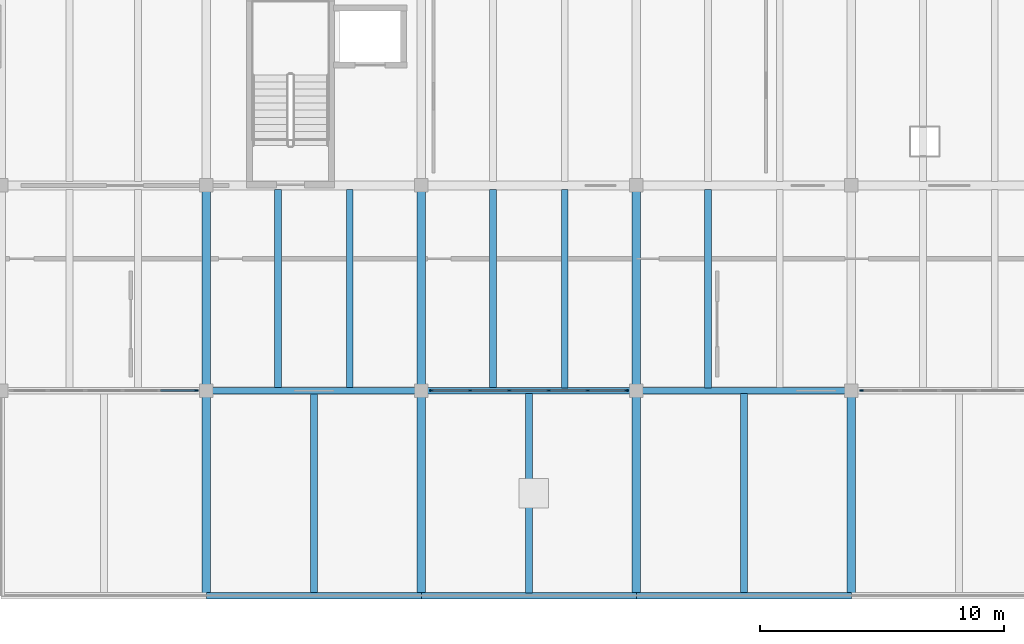
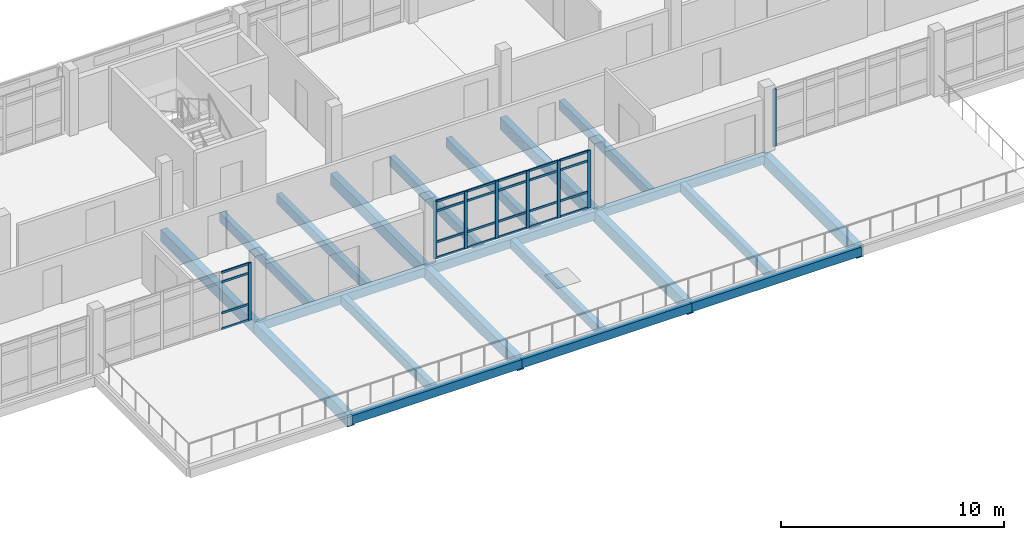
# One storey, part 8 of 30: 32 members, 21 beams, 3 elements without a shape of their own.
"""IFC4 building model written with IfcOpenShell, lengths in metres."""

from ifc_helpers import new_model, si_unit, direction, frame, origin, origin_2d, place, context, subcontext, project, spatial, rectangle, extrude, material, material_profile, profile_set, type_object, element, aggregate, save


model = new_model("IFC4")

# Units and contexts
model_context = context("Model", 3, precision=1e-05, world=origin(), true_north=direction((0.0, 1.0)))
body_context = subcontext(model_context, "Body", "Model", "MODEL_VIEW")
ifc_project = project(units=[si_unit("LENGTHUNIT", "METRE"), si_unit("AREAUNIT", "SQUARE_METRE"), si_unit("VOLUMEUNIT", "CUBIC_METRE"), si_unit("PLANEANGLEUNIT", "RADIAN"), si_unit("MASSUNIT", "GRAM", prefix="KILO")], contexts=[model_context])

# Site, building, storey
site_placement = place(None, origin())
site = spatial("IfcSite", under=ifc_project, at=site_placement, CompositionType="ELEMENT")
building_placement = place(site_placement, origin())
building = spatial("IfcBuilding", under=site, at=building_placement, Name="Cinderway Yard Community Centre", CompositionType="ELEMENT")
storey_placement = place(building_placement, frame((0.0, 0.0, 16.5)))
storey = spatial("IfcBuildingStorey", under=building, at=storey_placement, Name="L04", CompositionType="ELEMENT", Elevation=16.5)

# Curtain wall, member
ifc_material_1 = material(Name="Aluminium 6063-T6", Category="aluminium")
curtain_wall_type_1 = type_object("IfcCurtainWallType", Name="ENV-CW-TYPE-32", PredefinedType="USERDEFINED", material=ifc_material_1)
curtain_wall_1_placement = place(storey_placement, origin())
curtain_wall_1 = element("IfcCurtainWall", 1, at=curtain_wall_1_placement, inside=storey, type_object=curtain_wall_type_1, Name="V4 Courtyard Curtain Wall ENV-CW-L04-ST-0180", ObjectType="GLAZED CURTAIN WALL", PredefinedType="USERDEFINED")
ifc_material_profile_1 = material_profile(ifc_material_1, rectangle(XDim=0.06005859375, YDim=0.159912109375, at=origin_2d()), Name="Aluminium 6063-T6")
ifc_profile_set_1 = profile_set([ifc_material_profile_1], Name="Aluminium 6063-T6")
member_type_1 = type_object("IfcMemberType", Name="ENV-CW-MULL-150", PredefinedType="MULLION", material=ifc_profile_set_1)
member_1_placement = place(storey_placement, frame((74.7900390625, 98.39990234375, 0.0), z_axis=(0.0, 0.0, 1.0), x_axis=(0.0, 1.0, 0.0)))
member_1 = element("IfcMember", 2, at=member_1_placement, type_object=member_type_1, Name="CW-32 mullion 6", PredefinedType="MULLION", context=body_context, shape_type="SweptSolid", body=[
    extrude(rectangle(XDim=0.06005859375, YDim=0.159912109375, at=origin_2d()), origin(), (0.0, 0.0, 1.0), 3.14990234375),
])

# Curtain wall, members
curtain_wall_type_2 = type_object("IfcCurtainWallType", Name="ENV-CW-TYPE-33", PredefinedType="USERDEFINED", material=ifc_material_1)
curtain_wall_2_placement = place(storey_placement, origin())
curtain_wall_2 = element("IfcCurtainWall", 3, at=curtain_wall_2_placement, inside=storey, type_object=curtain_wall_type_2, Name="V4 Courtyard Curtain Wall ENV-CW-L04-ST-0182", ObjectType="GLAZED CURTAIN WALL", PredefinedType="USERDEFINED")
member_2_placement = place(storey_placement, frame((84.409912109375, 98.39990234375, 0.0), z_axis=(0.0, 0.0, 1.0), x_axis=(0.0, 1.0, 0.0)))
member_2 = element("IfcMember", 4, at=member_2_placement, type_object=member_type_1, Name="CW-33 mullion 1", PredefinedType="MULLION", context=body_context, shape_type="SweptSolid", body=[
    extrude(rectangle(XDim=0.06005859375, YDim=0.159912109375, at=origin_2d()), origin(), (0.0, 0.0, 1.0), 3.14990234375),
])
member_3_placement = place(storey_placement, frame((85.988037109375, 98.39990234375, 0.0), z_axis=(0.0, 0.0, 1.0), x_axis=(0.0, 1.0, 0.0)))
member_3 = element("IfcMember", 5, at=member_3_placement, type_object=member_type_1, Name="CW-33 mullion 2", PredefinedType="MULLION", context=body_context, shape_type="SweptSolid", body=[
    extrude(rectangle(XDim=0.06005859375, YDim=0.159912109375, at=origin_2d()), origin(), (0.0, 0.0, 1.0), 3.14990234375),
])
member_4_placement = place(storey_placement, frame((87.595947265625, 98.39990234375, 0.0), z_axis=(0.0, 0.0, 1.0), x_axis=(0.0, 1.0, 0.0)))
member_4 = element("IfcMember", 6, at=member_4_placement, type_object=member_type_1, Name="CW-33 mullion 3", PredefinedType="MULLION", context=body_context, shape_type="SweptSolid", body=[
    extrude(rectangle(XDim=0.06005859375, YDim=0.159912109375, at=origin_2d()), origin(), (0.0, 0.0, 1.0), 3.14990234375),
])
member_5_placement = place(storey_placement, frame((89.2041015625, 98.39990234375, 0.0), z_axis=(0.0, 0.0, 1.0), x_axis=(0.0, 1.0, 0.0)))
member_5 = element("IfcMember", 7, at=member_5_placement, type_object=member_type_1, Name="CW-33 mullion 4", PredefinedType="MULLION", context=body_context, shape_type="SweptSolid", body=[
    extrude(rectangle(XDim=0.06005859375, YDim=0.159912109375, at=origin_2d()), origin(), (0.0, 0.0, 1.0), 3.14990234375),
])
member_6_placement = place(storey_placement, frame((90.81201171875, 98.39990234375, 0.0), z_axis=(0.0, 0.0, 1.0), x_axis=(0.0, 1.0, 0.0)))
member_6 = element("IfcMember", 8, at=member_6_placement, type_object=member_type_1, Name="CW-33 mullion 5", PredefinedType="MULLION", context=body_context, shape_type="SweptSolid", body=[
    extrude(rectangle(XDim=0.06005859375, YDim=0.159912109375, at=origin_2d()), origin(), (0.0, 0.0, 1.0), 3.14990234375),
])
member_7_placement = place(storey_placement, frame((92.389892578125, 98.39990234375, 0.0), z_axis=(0.0, 0.0, 1.0), x_axis=(0.0, 1.0, 0.0)))
member_7 = element("IfcMember", 9, at=member_7_placement, type_object=member_type_1, Name="CW-33 mullion 6", PredefinedType="MULLION", context=body_context, shape_type="SweptSolid", body=[
    extrude(rectangle(XDim=0.06005859375, YDim=0.159912109375, at=origin_2d()), origin(), (0.0, 0.0, 1.0), 3.14990234375),
])

# Curtain wall, member
curtain_wall_3_placement = place(storey_placement, origin())
curtain_wall_3 = element("IfcCurtainWall", 10, at=curtain_wall_3_placement, inside=storey, type_object=curtain_wall_type_2, Name="V4 Courtyard Curtain Wall ENV-CW-L04-ST-0184", ObjectType="GLAZED CURTAIN WALL", PredefinedType="USERDEFINED")
member_8_placement = place(storey_placement, frame((102.010009765625, 98.39990234375, 0.0), z_axis=(0.0, 0.0, 1.0), x_axis=(0.0, 1.0, 0.0)))
member_8 = element("IfcMember", 11, at=member_8_placement, type_object=member_type_1, Name="CW-33 mullion 1", PredefinedType="MULLION", context=body_context, shape_type="SweptSolid", body=[
    extrude(rectangle(XDim=0.06005859375, YDim=0.159912109375, at=origin_2d()), origin(), (0.0, 0.0, 1.0), 3.14990234375),
])
aggregate(curtain_wall_3, [member_8])

# Member
ifc_material_profile_2 = material_profile(ifc_material_1, rectangle(XDim=0.06005859375, YDim=0.1201171875, at=origin_2d()), Name="Aluminium 6063-T6")
ifc_profile_set_2 = profile_set([ifc_material_profile_2], Name="Aluminium 6063-T6")
member_type_2 = type_object("IfcMemberType", Name="ENV-CW-TRAN-110", PredefinedType="USERDEFINED", material=ifc_profile_set_2)
member_9_placement = place(storey_placement, frame((73.322021484375, 98.39990234375, 0.030029296875), z_axis=(1.0, 0.0, 0.0), x_axis=(0.0, 1.0, 0.0)))
member_9 = element("IfcMember", 12, at=member_9_placement, type_object=member_type_2, Name="CW-32 transom 5.1", ObjectType="TRANSOM", PredefinedType="USERDEFINED", context=body_context, shape_type="SweptSolid", body=[
    extrude(rectangle(XDim=0.06005859375, YDim=0.1201171875, at=origin_2d()), origin(), (0.0, 0.0, 1.0), 1.43798828125),
])

member_10_placement = place(storey_placement, frame((73.322021484375, 98.39990234375, 0.89990234375), z_axis=(1.0, 0.0, 0.0), x_axis=(0.0, 1.0, 0.0)))
member_10 = element("IfcMember", 13, at=member_10_placement, type_object=member_type_2, Name="CW-32 transom 5.2", ObjectType="TRANSOM", PredefinedType="USERDEFINED", context=body_context, shape_type="SweptSolid", body=[
    extrude(rectangle(XDim=0.06005859375, YDim=0.1201171875, at=origin_2d()), origin(), (0.0, 0.0, 1.0), 1.43798828125),
])

member_11_placement = place(storey_placement, frame((73.322021484375, 98.39990234375, 2.60009765625), z_axis=(1.0, 0.0, 0.0), x_axis=(0.0, 1.0, 0.0)))
member_11 = element("IfcMember", 14, at=member_11_placement, type_object=member_type_2, Name="CW-32 transom 5.3", ObjectType="TRANSOM", PredefinedType="USERDEFINED", context=body_context, shape_type="SweptSolid", body=[
    extrude(rectangle(XDim=0.06005859375, YDim=0.1201171875, at=origin_2d()), origin(), (0.0, 0.0, 1.0), 1.43798828125),
])

member_12_placement = place(storey_placement, frame((73.322021484375, 98.39990234375, 3.1201171875), z_axis=(1.0, 0.0, 0.0), x_axis=(0.0, 1.0, 0.0)))
member_12 = element("IfcMember", 15, at=member_12_placement, type_object=member_type_2, Name="CW-32 transom 5.4", ObjectType="TRANSOM", PredefinedType="USERDEFINED", context=body_context, shape_type="SweptSolid", body=[
    extrude(rectangle(XDim=0.06005859375, YDim=0.1201171875, at=origin_2d()), origin(), (0.0, 0.0, 1.0), 1.43798828125),
])

aggregate(curtain_wall_1, [member_1, member_9, member_10, member_11, member_12])

member_13_placement = place(storey_placement, frame((84.43994140625, 98.39990234375, 0.030029296875), z_axis=(1.0, 0.0, 0.0), x_axis=(0.0, 1.0, 0.0)))
member_13 = element("IfcMember", 16, at=member_13_placement, type_object=member_type_2, Name="CW-33 transom 1.1", ObjectType="TRANSOM", PredefinedType="USERDEFINED", context=body_context, shape_type="SweptSolid", body=[
    extrude(rectangle(XDim=0.06005859375, YDim=0.1201171875, at=origin_2d()), origin(), (0.0, 0.0, 1.0), 1.51806640625),
])

member_14_placement = place(storey_placement, frame((84.43994140625, 98.39990234375, 0.89990234375), z_axis=(1.0, 0.0, 0.0), x_axis=(0.0, 1.0, 0.0)))
member_14 = element("IfcMember", 17, at=member_14_placement, type_object=member_type_2, Name="CW-33 transom 1.2", ObjectType="TRANSOM", PredefinedType="USERDEFINED", context=body_context, shape_type="SweptSolid", body=[
    extrude(rectangle(XDim=0.06005859375, YDim=0.1201171875, at=origin_2d()), origin(), (0.0, 0.0, 1.0), 1.51806640625),
])

member_15_placement = place(storey_placement, frame((84.43994140625, 98.39990234375, 2.60009765625), z_axis=(1.0, 0.0, 0.0), x_axis=(0.0, 1.0, 0.0)))
member_15 = element("IfcMember", 18, at=member_15_placement, type_object=member_type_2, Name="CW-33 transom 1.3", ObjectType="TRANSOM", PredefinedType="USERDEFINED", context=body_context, shape_type="SweptSolid", body=[
    extrude(rectangle(XDim=0.06005859375, YDim=0.1201171875, at=origin_2d()), origin(), (0.0, 0.0, 1.0), 1.51806640625),
])

member_16_placement = place(storey_placement, frame((84.43994140625, 98.39990234375, 3.1201171875), z_axis=(1.0, 0.0, 0.0), x_axis=(0.0, 1.0, 0.0)))
member_16 = element("IfcMember", 19, at=member_16_placement, type_object=member_type_2, Name="CW-33 transom 1.4", ObjectType="TRANSOM", PredefinedType="USERDEFINED", context=body_context, shape_type="SweptSolid", body=[
    extrude(rectangle(XDim=0.06005859375, YDim=0.1201171875, at=origin_2d()), origin(), (0.0, 0.0, 1.0), 1.51806640625),
])

member_17_placement = place(storey_placement, frame((86.01806640625, 98.39990234375, 0.030029296875), z_axis=(1.0, 0.0, 0.0), x_axis=(0.0, 1.0, 0.0)))
member_17 = element("IfcMember", 20, at=member_17_placement, type_object=member_type_2, Name="CW-33 transom 2.1", ObjectType="TRANSOM", PredefinedType="USERDEFINED", context=body_context, shape_type="SweptSolid", body=[
    extrude(rectangle(XDim=0.06005859375, YDim=0.1201171875, at=origin_2d()), origin(), (0.0, 0.0, 1.0), 1.5478515625),
])

member_18_placement = place(storey_placement, frame((86.01806640625, 98.39990234375, 0.89990234375), z_axis=(1.0, 0.0, 0.0), x_axis=(0.0, 1.0, 0.0)))
member_18 = element("IfcMember", 21, at=member_18_placement, type_object=member_type_2, Name="CW-33 transom 2.2", ObjectType="TRANSOM", PredefinedType="USERDEFINED", context=body_context, shape_type="SweptSolid", body=[
    extrude(rectangle(XDim=0.06005859375, YDim=0.1201171875, at=origin_2d()), origin(), (0.0, 0.0, 1.0), 1.5478515625),
])

member_19_placement = place(storey_placement, frame((86.01806640625, 98.39990234375, 2.60009765625), z_axis=(1.0, 0.0, 0.0), x_axis=(0.0, 1.0, 0.0)))
member_19 = element("IfcMember", 22, at=member_19_placement, type_object=member_type_2, Name="CW-33 transom 2.3", ObjectType="TRANSOM", PredefinedType="USERDEFINED", context=body_context, shape_type="SweptSolid", body=[
    extrude(rectangle(XDim=0.06005859375, YDim=0.1201171875, at=origin_2d()), origin(), (0.0, 0.0, 1.0), 1.5478515625),
])

member_20_placement = place(storey_placement, frame((86.01806640625, 98.39990234375, 3.1201171875), z_axis=(1.0, 0.0, 0.0), x_axis=(0.0, 1.0, 0.0)))
member_20 = element("IfcMember", 23, at=member_20_placement, type_object=member_type_2, Name="CW-33 transom 2.4", ObjectType="TRANSOM", PredefinedType="USERDEFINED", context=body_context, shape_type="SweptSolid", body=[
    extrude(rectangle(XDim=0.06005859375, YDim=0.1201171875, at=origin_2d()), origin(), (0.0, 0.0, 1.0), 1.5478515625),
])

member_21_placement = place(storey_placement, frame((87.6259765625, 98.39990234375, 0.030029296875), z_axis=(1.0, 0.0, 0.0), x_axis=(0.0, 1.0, 0.0)))
member_21 = element("IfcMember", 24, at=member_21_placement, type_object=member_type_2, Name="CW-33 transom 3.1", ObjectType="TRANSOM", PredefinedType="USERDEFINED", context=body_context, shape_type="SweptSolid", body=[
    extrude(rectangle(XDim=0.06005859375, YDim=0.1201171875, at=origin_2d()), origin(), (0.0, 0.0, 1.0), 1.548095703125),
])

member_22_placement = place(storey_placement, frame((87.6259765625, 98.39990234375, 0.89990234375), z_axis=(1.0, 0.0, 0.0), x_axis=(0.0, 1.0, 0.0)))
member_22 = element("IfcMember", 25, at=member_22_placement, type_object=member_type_2, Name="CW-33 transom 3.2", ObjectType="TRANSOM", PredefinedType="USERDEFINED", context=body_context, shape_type="SweptSolid", body=[
    extrude(rectangle(XDim=0.06005859375, YDim=0.1201171875, at=origin_2d()), origin(), (0.0, 0.0, 1.0), 1.548095703125),
])

member_23_placement = place(storey_placement, frame((87.6259765625, 98.39990234375, 2.60009765625), z_axis=(1.0, 0.0, 0.0), x_axis=(0.0, 1.0, 0.0)))
member_23 = element("IfcMember", 26, at=member_23_placement, type_object=member_type_2, Name="CW-33 transom 3.3", ObjectType="TRANSOM", PredefinedType="USERDEFINED", context=body_context, shape_type="SweptSolid", body=[
    extrude(rectangle(XDim=0.06005859375, YDim=0.1201171875, at=origin_2d()), origin(), (0.0, 0.0, 1.0), 1.548095703125),
])

member_24_placement = place(storey_placement, frame((87.6259765625, 98.39990234375, 3.1201171875), z_axis=(1.0, 0.0, 0.0), x_axis=(0.0, 1.0, 0.0)))
member_24 = element("IfcMember", 27, at=member_24_placement, type_object=member_type_2, Name="CW-33 transom 3.4", ObjectType="TRANSOM", PredefinedType="USERDEFINED", context=body_context, shape_type="SweptSolid", body=[
    extrude(rectangle(XDim=0.06005859375, YDim=0.1201171875, at=origin_2d()), origin(), (0.0, 0.0, 1.0), 1.548095703125),
])

member_25_placement = place(storey_placement, frame((89.23388671875, 98.39990234375, 0.030029296875), z_axis=(1.0, 0.0, 0.0), x_axis=(0.0, 1.0, 0.0)))
member_25 = element("IfcMember", 28, at=member_25_placement, type_object=member_type_2, Name="CW-33 transom 4.1", ObjectType="TRANSOM", PredefinedType="USERDEFINED", context=body_context, shape_type="SweptSolid", body=[
    extrude(rectangle(XDim=0.06005859375, YDim=0.1201171875, at=origin_2d()), origin(), (0.0, 0.0, 1.0), 1.548095703125),
])

member_26_placement = place(storey_placement, frame((89.23388671875, 98.39990234375, 0.89990234375), z_axis=(1.0, 0.0, 0.0), x_axis=(0.0, 1.0, 0.0)))
member_26 = element("IfcMember", 29, at=member_26_placement, type_object=member_type_2, Name="CW-33 transom 4.2", ObjectType="TRANSOM", PredefinedType="USERDEFINED", context=body_context, shape_type="SweptSolid", body=[
    extrude(rectangle(XDim=0.06005859375, YDim=0.1201171875, at=origin_2d()), origin(), (0.0, 0.0, 1.0), 1.548095703125),
])

member_27_placement = place(storey_placement, frame((89.23388671875, 98.39990234375, 2.60009765625), z_axis=(1.0, 0.0, 0.0), x_axis=(0.0, 1.0, 0.0)))
member_27 = element("IfcMember", 30, at=member_27_placement, type_object=member_type_2, Name="CW-33 transom 4.3", ObjectType="TRANSOM", PredefinedType="USERDEFINED", context=body_context, shape_type="SweptSolid", body=[
    extrude(rectangle(XDim=0.06005859375, YDim=0.1201171875, at=origin_2d()), origin(), (0.0, 0.0, 1.0), 1.548095703125),
])

member_28_placement = place(storey_placement, frame((89.23388671875, 98.39990234375, 3.1201171875), z_axis=(1.0, 0.0, 0.0), x_axis=(0.0, 1.0, 0.0)))
member_28 = element("IfcMember", 31, at=member_28_placement, type_object=member_type_2, Name="CW-33 transom 4.4", ObjectType="TRANSOM", PredefinedType="USERDEFINED", context=body_context, shape_type="SweptSolid", body=[
    extrude(rectangle(XDim=0.06005859375, YDim=0.1201171875, at=origin_2d()), origin(), (0.0, 0.0, 1.0), 1.548095703125),
])

member_29_placement = place(storey_placement, frame((90.842041015625, 98.39990234375, 0.030029296875), z_axis=(1.0, 0.0, 0.0), x_axis=(0.0, 1.0, 0.0)))
member_29 = element("IfcMember", 32, at=member_29_placement, type_object=member_type_2, Name="CW-33 transom 5.1", ObjectType="TRANSOM", PredefinedType="USERDEFINED", context=body_context, shape_type="SweptSolid", body=[
    extrude(rectangle(XDim=0.06005859375, YDim=0.1201171875, at=origin_2d()), origin(), (0.0, 0.0, 1.0), 1.51806640625),
])

member_30_placement = place(storey_placement, frame((90.842041015625, 98.39990234375, 0.89990234375), z_axis=(1.0, 0.0, 0.0), x_axis=(0.0, 1.0, 0.0)))
member_30 = element("IfcMember", 33, at=member_30_placement, type_object=member_type_2, Name="CW-33 transom 5.2", ObjectType="TRANSOM", PredefinedType="USERDEFINED", context=body_context, shape_type="SweptSolid", body=[
    extrude(rectangle(XDim=0.06005859375, YDim=0.1201171875, at=origin_2d()), origin(), (0.0, 0.0, 1.0), 1.51806640625),
])

member_31_placement = place(storey_placement, frame((90.842041015625, 98.39990234375, 2.60009765625), z_axis=(1.0, 0.0, 0.0), x_axis=(0.0, 1.0, 0.0)))
member_31 = element("IfcMember", 34, at=member_31_placement, type_object=member_type_2, Name="CW-33 transom 5.3", ObjectType="TRANSOM", PredefinedType="USERDEFINED", context=body_context, shape_type="SweptSolid", body=[
    extrude(rectangle(XDim=0.06005859375, YDim=0.1201171875, at=origin_2d()), origin(), (0.0, 0.0, 1.0), 1.51806640625),
])

member_32_placement = place(storey_placement, frame((90.842041015625, 98.39990234375, 3.1201171875), z_axis=(1.0, 0.0, 0.0), x_axis=(0.0, 1.0, 0.0)))
member_32 = element("IfcMember", 35, at=member_32_placement, type_object=member_type_2, Name="CW-33 transom 5.4", ObjectType="TRANSOM", PredefinedType="USERDEFINED", context=body_context, shape_type="SweptSolid", body=[
    extrude(rectangle(XDim=0.06005859375, YDim=0.1201171875, at=origin_2d()), origin(), (0.0, 0.0, 1.0), 1.51806640625),
])

aggregate(curtain_wall_2, [member_2, member_3, member_4, member_5, member_6, member_7, member_13, member_14, member_15, member_16, member_17, member_18, member_19, member_20, member_21, member_22, member_23, member_24, member_25, member_26, member_27, member_28, member_29, member_30, member_31, member_32])

# Beams
ifc_material_2 = material(Name="Concrete C40/50", Category="concrete")
ifc_material_profile_3 = material_profile(ifc_material_2, rectangle(XDim=0.260009765625, YDim=0.47998046875, at=origin_2d()), Name="Concrete C40/50")
ifc_profile_set_3 = profile_set([ifc_material_profile_3], Name="Concrete C40/50")
beam_type_1 = type_object("IfcBeamType", Name="STR-BM-RC260X480", PredefinedType="SPANDREL", material=ifc_profile_set_3)
for number, where, z_axis, x_axis, name in (
    (36, (75.199951171875, 98.39990234375, -0.4599609375), (1.0, 0.0, 0.0), (0.0, 1.0, 0.0), "Primary girder STR-BM-L04-SP01-0814"),
    (37, (84.0, 98.39990234375, -0.4599609375), (1.0, 0.0, 0.0), (0.0, 1.0, 0.0), "Primary girder STR-BM-L04-SP01-0815"),
    (38, (92.800048828125, 98.39990234375, -0.4599609375), (1.0, 0.0, 0.0), (0.0, 1.0, 0.0), "Primary girder STR-BM-L04-SP01-0816"),
    (39, (75.199951171875, 90.0, -0.4599609375), (1.0, 0.0, 0.0), (0.0, 1.0, 0.0), "Primary girder STR-BM-L04-SP01-0907"),
    (40, (84.0, 90.0, -0.4599609375), (1.0, 0.0, 0.0), (0.0, 1.0, 0.0), "Primary girder STR-BM-L04-SP01-0908"),
    (41, (92.800048828125, 90.0, -0.4599609375), (1.0, 0.0, 0.0), (0.0, 1.0, 0.0), "Primary girder STR-BM-L04-SP01-0909"),
):
    element("IfcBeam", number, at=place(storey_placement, frame(where, z_axis=z_axis, x_axis=x_axis)), inside=storey, type_object=beam_type_1, Name=name, PredefinedType="SPANDREL", context=body_context, shape_type="SweptSolid", body=[
        extrude(rectangle(XDim=0.260009765625, YDim=0.47998046875, at=origin_2d()), origin(), (0.0, 0.0, 1.0), 8.800048828125),
    ])
ifc_material_3 = material(Name="Concrete C35/45", Category="concrete")
ifc_material_profile_4 = material_profile(ifc_material_3, rectangle(XDim=0.280029296875, YDim=0.52001953125, at=origin_2d()), Name="Concrete C35/45")
ifc_profile_set_4 = profile_set([ifc_material_profile_4], Name="Concrete C35/45")
beam_type_2 = type_object("IfcBeamType", Name="STR-BM-RC280X520", PredefinedType="JOIST", material=ifc_profile_set_4)
for number, where, z_axis, x_axis, name in (
    (42, (78.133056640625, 98.511962890625, -0.47998046875), (0.0, 1.0, 0.0), (-1.0, 0.0, 0.0), "Secondary joist STR-BM-L04-BJ04-0881"),
    (43, (81.06689453125, 98.511962890625, -0.47998046875), (0.0, 1.0, 0.0), (-1.0, 0.0, 0.0), "Secondary joist STR-BM-L04-BJ04-0882"),
    (44, (86.93310546875, 98.511962890625, -0.47998046875), (0.0, 1.0, 0.0), (-1.0, 0.0, 0.0), "Secondary joist STR-BM-L04-BJ04-0883"),
    (45, (89.866943359375, 98.511962890625, -0.47998046875), (0.0, 1.0, 0.0), (-1.0, 0.0, 0.0), "Secondary joist STR-BM-L04-BJ04-0884"),
    (46, (95.73291015625, 98.511962890625, -0.47998046875), (0.0, 1.0, 0.0), (-1.0, 0.0, 0.0), "Secondary joist STR-BM-L04-BJ04-0887"),
):
    element("IfcBeam", number, at=place(storey_placement, frame(where, z_axis=z_axis, x_axis=x_axis)), inside=storey, type_object=beam_type_2, Name=name, PredefinedType="JOIST", context=body_context, shape_type="SweptSolid", body=[
        extrude(rectangle(XDim=0.280029296875, YDim=0.52001953125, at=origin_2d()), origin(), (0.0, 0.0, 1.0), 8.115966796875),
    ])
for number, where, z_axis, x_axis, name in (
    (47, (79.60009765625, 90.112060546875, -0.47998046875), (0.0, 1.0, 0.0), (-1.0, 0.0, 0.0), "Secondary joist STR-BM-L04-BJ04-0918"),
    (48, (88.39990234375, 90.112060546875, -0.47998046875), (0.0, 1.0, 0.0), (-1.0, 0.0, 0.0), "Secondary joist STR-BM-L04-BJ04-0919"),
    (49, (97.199951171875, 90.112060546875, -0.47998046875), (0.0, 1.0, 0.0), (-1.0, 0.0, 0.0), "Secondary joist STR-BM-L04-BJ04-0920"),
):
    element("IfcBeam", number, at=place(storey_placement, frame(where, z_axis=z_axis, x_axis=x_axis)), inside=storey, type_object=beam_type_2, Name=name, PredefinedType="JOIST", context=body_context, shape_type="SweptSolid", body=[
        extrude(rectangle(XDim=0.280029296875, YDim=0.52001953125, at=origin_2d()), origin(), (0.0, 0.0, 1.0), 8.176025390625),
    ])
ifc_material_profile_5 = material_profile(ifc_material_3, rectangle(XDim=0.35009765625, YDim=0.64990234375, at=origin_2d()), Name="Concrete C35/45")
ifc_profile_set_5 = profile_set([ifc_material_profile_5], Name="Concrete C35/45")
beam_type_3 = type_object("IfcBeamType", Name="STR-BM-RC350X650", PredefinedType="BEAM", material=ifc_profile_set_5)
for number, where, z_axis, x_axis, name in (
    (50, (75.199951171875, 98.39990234375, -0.544921875), (0.0, 1.0, 0.0), (-1.0, 0.0, 0.0), "Transverse girder STR-BM-L04-BG08-0851"),
    (51, (84.0, 98.39990234375, -0.544921875), (0.0, 1.0, 0.0), (-1.0, 0.0, 0.0), "Transverse girder STR-BM-L04-BG08-0853"),
    (52, (92.800048828125, 98.39990234375, -0.544921875), (0.0, 1.0, 0.0), (-1.0, 0.0, 0.0), "Transverse girder STR-BM-L04-BG08-0855"),
):
    element("IfcBeam", number, at=place(storey_placement, frame(where, z_axis=z_axis, x_axis=x_axis)), inside=storey, type_object=beam_type_3, Name=name, PredefinedType="BEAM", context=body_context, shape_type="SweptSolid", body=[
        extrude(rectangle(XDim=0.35009765625, YDim=0.64990234375, at=origin_2d()), origin(), (0.0, 0.0, 1.0), 8.400146484375),
    ])
for number, where, z_axis, x_axis, name in (
    (53, (75.199951171875, 90.0, -0.544921875), (0.0, 1.0, 0.0), (-1.0, 0.0, 0.0), "Transverse girder STR-BM-L04-BG08-0912"),
    (54, (84.0, 90.0, -0.544921875), (0.0, 1.0, 0.0), (-1.0, 0.0, 0.0), "Transverse girder STR-BM-L04-BG08-0913"),
    (55, (92.800048828125, 90.0, -0.544921875), (0.0, 1.0, 0.0), (-1.0, 0.0, 0.0), "Transverse girder STR-BM-L04-BG08-0914"),
    (56, (101.60009765625, 90.0, -0.544921875), (0.0, 1.0, 0.0), (-1.0, 0.0, 0.0), "Transverse girder STR-BM-L04-BG08-0915"),
):
    element("IfcBeam", number, at=place(storey_placement, frame(where, z_axis=z_axis, x_axis=x_axis)), inside=storey, type_object=beam_type_3, Name=name, PredefinedType="BEAM", context=body_context, shape_type="SweptSolid", body=[
        extrude(rectangle(XDim=0.35009765625, YDim=0.64990234375, at=origin_2d()), origin(), (0.0, 0.0, 1.0), 8.39990234375),
    ])

save(model, "model.ifc")
